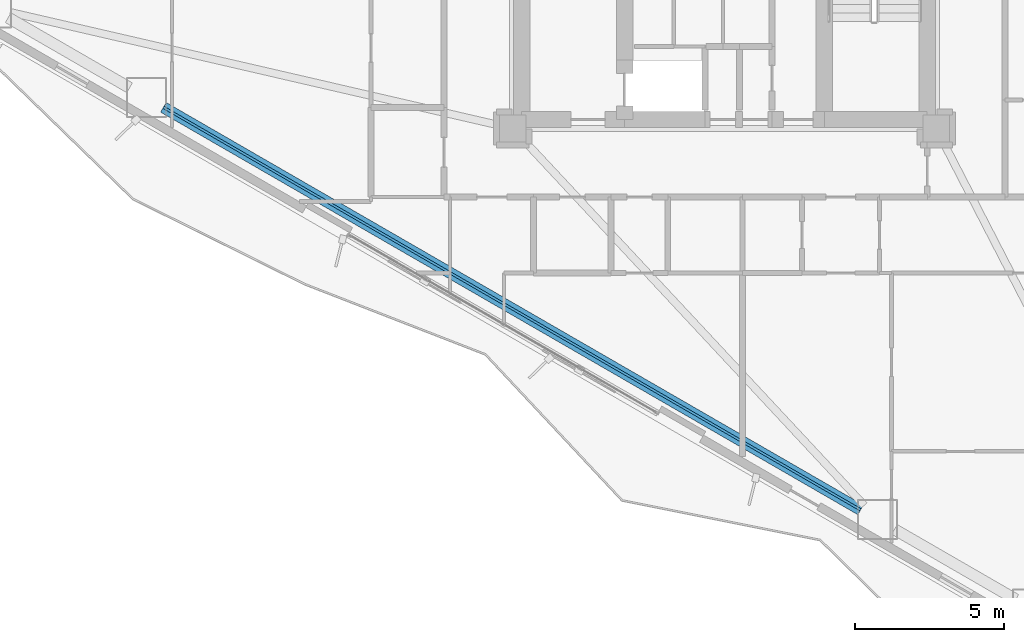
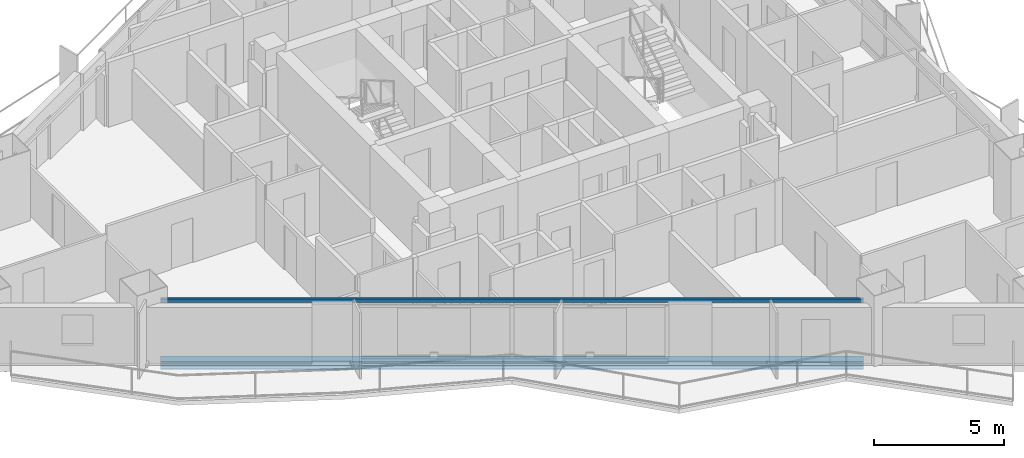
# One storey, part 3 of 19: 2 beams.
"""IFC4 building model written with IfcOpenShell, lengths in metres."""

from ifc_helpers import new_model, si_unit, direction, frame, origin, origin_2d, place, context, subcontext, project, spatial, hollow_rectangle, i_section, extrude, material, material_profile, profile_set, type_object, element, save


model = new_model("IFC4")

# Units and contexts
model_context = context("Model", 3, precision=1e-05, world=origin(), true_north=direction((0.0, 1.0)))
body_context = subcontext(model_context, "Body", "Model", "MODEL_VIEW")
ifc_project = project(units=[si_unit("LENGTHUNIT", "METRE"), si_unit("AREAUNIT", "SQUARE_METRE"), si_unit("VOLUMEUNIT", "CUBIC_METRE"), si_unit("PLANEANGLEUNIT", "RADIAN"), si_unit("MASSUNIT", "GRAM", prefix="KILO")], contexts=[model_context])

# Site, building, storey
site_placement = place(None, origin())
site = spatial("IfcSite", under=ifc_project, at=site_placement, CompositionType="ELEMENT")
building_placement = place(site_placement, origin())
building = spatial("IfcBuilding", under=site, at=building_placement, Name="Mersakhor Tower and Convention Hall", CompositionType="ELEMENT")
storey_placement = place(building_placement, frame((0.0, 0.0, 25.800048828125)))
storey = spatial("IfcBuildingStorey", under=building, at=storey_placement, Name="L06", CompositionType="ELEMENT", Elevation=25.800048828125)

# Beams
ifc_material_1 = material(Name="Steel S355", Category="steel")
ifc_material_profile_1 = material_profile(ifc_material_1, hollow_rectangle(XDim=0.080078125, YDim=0.179931640625, WallThickness=0.008056640625, at=origin_2d()), Name="RHS 180x80x8")
ifc_profile_set_1 = profile_set([ifc_material_profile_1], Name="Steel S355")
beam_type_1 = type_object("IfcBeamType", Name="BM-GRT-RHS180", PredefinedType="USERDEFINED", material=ifc_profile_set_1)
beam_1_placement = place(storey_placement, frame((33.566162109375, 7.6591796875, 2.47998046875), z_axis=(-0.866025970279, 0.499999018801, 0.0), x_axis=(-0.499999018801, -0.866025970279, 0.0)))
element("IfcBeam", 1, at=beam_1_placement, inside=storey, type_object=beam_type_1, Name="L06 Facade Support Girt GRT-F3", ObjectType="GIRT", PredefinedType="USERDEFINED", context=body_context, shape_type="SweptSolid", body=[
    extrude(hollow_rectangle(XDim=0.080078125, YDim=0.179931640625, WallThickness=0.008056640625, at=origin_2d()), origin(), (0.0, 0.0, 1.0), 26.99951171875),
])
ifc_material_2 = material(Name="Steel S355", Category="steel")
ifc_material_profile_2 = material_profile(ifc_material_2, i_section(OverallWidth=0.374755859375, OverallDepth=0.37451171875, WebThickness=0.0166015625, FlangeThickness=0.027099609375, at=origin_2d()), Name="UC 356x368x202")
ifc_profile_set_2 = profile_set([ifc_material_profile_2], Name="Steel S355")
beam_type_2 = type_object("IfcBeamType", Name="BM-SPD-UC356", PredefinedType="SPANDREL", material=ifc_profile_set_2)
beam_2_placement = place(storey_placement, frame((33.566162109375, 7.6591796875, -0.447265625), z_axis=(-0.866025970279, 0.499999018801, 0.0), x_axis=(-0.499999018801, -0.866025970279, 0.0)))
element("IfcBeam", 2, at=beam_2_placement, inside=storey, type_object=beam_type_2, Name="L06 Perimeter Spandrel Beam SPB-10", PredefinedType="SPANDREL", context=body_context, shape_type="SweptSolid", body=[
    extrude(i_section(OverallWidth=0.374755859375, OverallDepth=0.37451171875, WebThickness=0.0166015625, FlangeThickness=0.027099609375, at=origin_2d()), origin(), (0.0, 0.0, 1.0), 26.99951171875),
])

save(model, "model.ifc")
